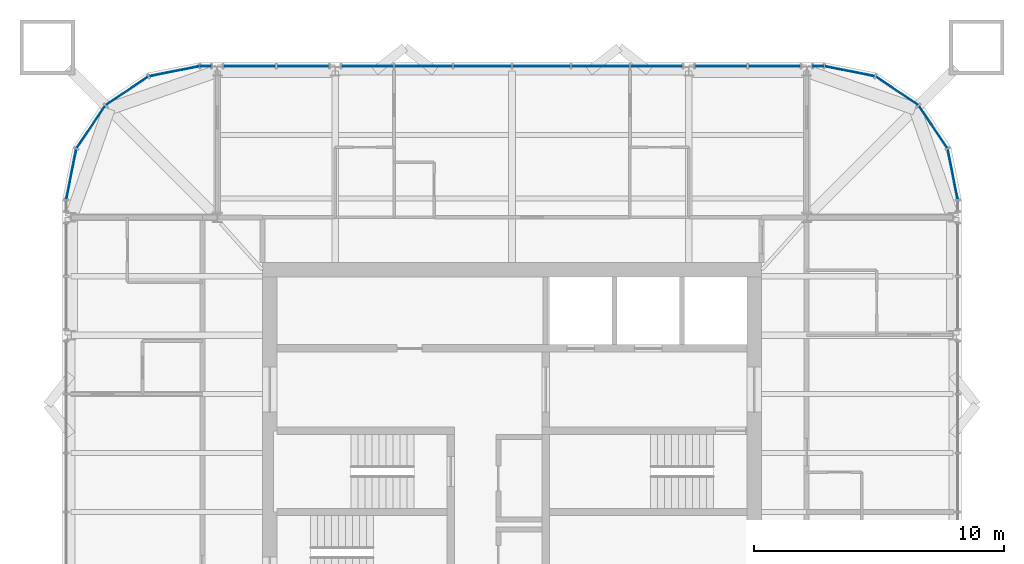
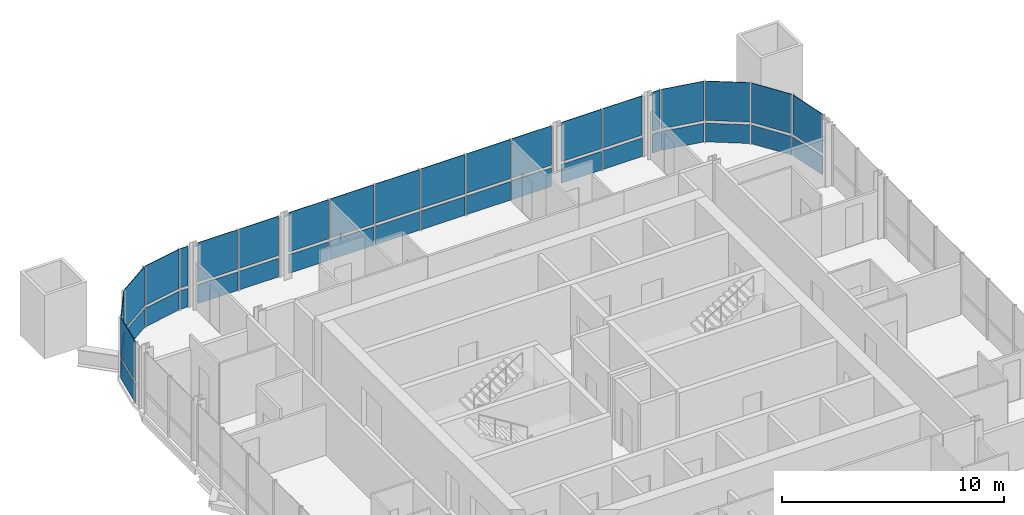
# One storey, part 12 of 17: 40 plates, 7 elements without a shape of their own.
"""IFC4 building model written with IfcOpenShell, lengths in metres."""

from ifc_helpers import new_model, si_unit, direction, frame, origin, origin_2d, place, context, subcontext, project, spatial, rectangle, extrude, material, layer, layer_set, type_object, element, aggregate, save


model = new_model("IFC4")

# Units and contexts
model_context = context("Model", 3, precision=1e-05, world=origin(), true_north=direction((0.0, 1.0)))
body_context = subcontext(model_context, "Body", "Model", "MODEL_VIEW")
ifc_project = project(units=[si_unit("LENGTHUNIT", "METRE"), si_unit("AREAUNIT", "SQUARE_METRE"), si_unit("VOLUMEUNIT", "CUBIC_METRE"), si_unit("PLANEANGLEUNIT", "RADIAN"), si_unit("MASSUNIT", "GRAM", prefix="KILO")], contexts=[model_context])

# Site, building, storey
site_placement = place(None, origin())
site = spatial("IfcSite", under=ifc_project, at=site_placement, CompositionType="ELEMENT")
building_placement = place(site_placement, origin())
building = spatial("IfcBuilding", under=site, at=building_placement, Name="Turquesa Mirador Hotel Tower", CompositionType="ELEMENT")
storey_placement = place(building_placement, frame((0.0, 0.0, 244.199951171875)))
storey = spatial("IfcBuildingStorey", under=building, at=storey_placement, Name="L66", CompositionType="ELEMENT", Elevation=244.199951171875)

# Curtain wall, plates
ifc_material_1 = material(Name="Aluminium extrusion", Category="aluminium")
curtain_wall_type = type_object("IfcCurtainWallType", Name="CW-4 SUITE FRITTED CURTAIN WALL", PredefinedType="USERDEFINED", material=ifc_material_1)
curtain_wall_1_placement = place(storey_placement, origin())
curtain_wall_1 = element("IfcCurtainWall", 1, at=curtain_wall_1_placement, inside=storey, type_object=curtain_wall_type, Name="CW-4 SUITE FRITTED CURTAIN WALL L66", ObjectType="CURTAIN WALL", PredefinedType="USERDEFINED")
ifc_material_2 = material(Name="Ceramic-printed spandrel glass on an insulated back pan", Category="glass")
ifc_layer_1 = layer(ifc_material_2, 0.050048828125)
ifc_layer_set_1 = layer_set([ifc_layer_1], Name="CW PANEL SPANDREL CERAMIC")
plate_type_1 = type_object("IfcPlateType", Name="CW PANEL SPANDREL CERAMIC", PredefinedType="CURTAIN_PANEL", material=ifc_layer_set_1)
plate_1_placement = place(storey_placement, frame((72.646484375, 58.523681640625, 0.0), z_axis=(0.0, 0.0, 1.0), x_axis=(-0.195090585221, 0.980785228048, 0.0)))
plate_1 = element("IfcPlate", 2, at=plate_1_placement, type_object=plate_type_1, Name="Panel", PredefinedType="CURTAIN_PANEL", context=body_context, shape_type="SweptSolid", body=[
    extrude(rectangle(XDim=2.0224609375, YDim=0.050048828125, at=origin_2d()), origin(), (0.0, 0.0, 1.0), 1.02490234375),
])
plate_2_placement = place(storey_placement, frame((71.86279296875, 60.415283203125, 0.0), z_axis=(0.0, 0.0, 1.0), x_axis=(-0.555570141754, 0.831469673284, 0.0)))
plate_2 = element("IfcPlate", 3, at=plate_2_placement, type_object=plate_type_1, Name="Panel", PredefinedType="CURTAIN_PANEL", context=body_context, shape_type="SweptSolid", body=[
    extrude(rectangle(XDim=2.0224609375, YDim=0.050048828125, at=origin_2d()), origin(), (0.0, 0.0, 1.0), 1.02490234375),
])
plate_3_placement = place(storey_placement, frame((70.415283203125, 61.86279296875, 0.0), z_axis=(0.0, 0.0, 1.0), x_axis=(-0.831469673284, 0.555570141754, 0.0)))
plate_3 = element("IfcPlate", 4, at=plate_3_placement, type_object=plate_type_1, Name="Panel", PredefinedType="CURTAIN_PANEL", context=body_context, shape_type="SweptSolid", body=[
    extrude(rectangle(XDim=2.0224609375, YDim=0.050048828125, at=origin_2d()), origin(), (0.0, 0.0, 1.0), 1.02490234375),
])
plate_4_placement = place(storey_placement, frame((68.523681640625, 62.646484375, 0.0), z_axis=(0.0, 0.0, 1.0), x_axis=(-0.980785228048, 0.195090585221, 0.0)))
plate_4 = element("IfcPlate", 5, at=plate_4_placement, type_object=plate_type_1, Name="Panel", PredefinedType="CURTAIN_PANEL", context=body_context, shape_type="SweptSolid", body=[
    extrude(rectangle(XDim=2.0224609375, YDim=0.050048828125, at=origin_2d()), origin(), (0.0, 0.0, 1.0), 1.02490234375),
])

# Curtain wall, plate
curtain_wall_2_placement = place(storey_placement, origin())
curtain_wall_2 = element("IfcCurtainWall", 6, at=curtain_wall_2_placement, inside=storey, type_object=curtain_wall_type, Name="CW-4 SUITE FRITTED CURTAIN WALL L66", ObjectType="CURTAIN WALL", PredefinedType="USERDEFINED")
plate_5_placement = place(storey_placement, frame((67.266845703125, 62.85009765625, 0.0), z_axis=(0.0, 0.0, 1.0), x_axis=(-1.0, 0.0, 0.0)))
plate_5 = element("IfcPlate", 7, at=plate_5_placement, type_object=plate_type_1, Name="Panel", PredefinedType="CURTAIN_PANEL", context=body_context, shape_type="SweptSolid", body=[
    extrude(rectangle(XDim=0.401123046875, YDim=0.050048828125, at=origin_2d()), origin(), (0.0, 0.0, 1.0), 1.02490234375),
])

# Curtain wall, plates
curtain_wall_3_placement = place(storey_placement, origin())
curtain_wall_3 = element("IfcCurtainWall", 8, at=curtain_wall_3_placement, inside=storey, type_object=curtain_wall_type, Name="CW-4 SUITE FRITTED CURTAIN WALL L66", ObjectType="CURTAIN WALL", PredefinedType="USERDEFINED")
plate_6_placement = place(storey_placement, frame((65.503173828125, 62.85009765625, 0.0), z_axis=(0.0, 0.0, 1.0), x_axis=(-1.0, 0.0, 0.0)))
plate_6 = element("IfcPlate", 9, at=plate_6_placement, type_object=plate_type_1, Name="Panel", PredefinedType="CURTAIN_PANEL", context=body_context, shape_type="SweptSolid", body=[
    extrude(rectangle(XDim=2.06103515625, YDim=0.050048828125, at=origin_2d()), origin(), (0.0, 0.0, 1.0), 1.02490234375),
])
plate_7_placement = place(storey_placement, frame((63.376953125, 62.85009765625, 0.0), z_axis=(0.0, 0.0, 1.0), x_axis=(-1.0, 0.0, 0.0)))
plate_7 = element("IfcPlate", 10, at=plate_7_placement, type_object=plate_type_1, Name="Panel", PredefinedType="CURTAIN_PANEL", context=body_context, shape_type="SweptSolid", body=[
    extrude(rectangle(XDim=2.06103515625, YDim=0.050048828125, at=origin_2d()), origin(), (0.0, 0.0, 1.0), 1.02490234375),
])

curtain_wall_4_placement = place(storey_placement, origin())
curtain_wall_4 = element("IfcCurtainWall", 11, at=curtain_wall_4_placement, inside=storey, type_object=curtain_wall_type, Name="CW-4 SUITE FRITTED CURTAIN WALL L66", ObjectType="CURTAIN WALL", PredefinedType="USERDEFINED")
plate_8_placement = place(storey_placement, frame((60.782958984375, 62.85009765625, 0.0), z_axis=(0.0, 0.0, 1.0), x_axis=(-1.0, 0.0, 0.0)))
plate_8 = element("IfcPlate", 12, at=plate_8_placement, type_object=plate_type_1, Name="Panel", PredefinedType="CURTAIN_PANEL", context=body_context, shape_type="SweptSolid", body=[
    extrude(rectangle(XDim=2.06103515625, YDim=0.050048828125, at=origin_2d()), origin(), (0.0, 0.0, 1.0), 1.02490234375),
])
plate_9_placement = place(storey_placement, frame((58.5400390625, 62.85009765625, 0.0), z_axis=(0.0, 0.0, 1.0), x_axis=(-1.0, 0.0, 0.0)))
plate_9 = element("IfcPlate", 13, at=plate_9_placement, type_object=plate_type_1, Name="Panel", PredefinedType="CURTAIN_PANEL", context=body_context, shape_type="SweptSolid", body=[
    extrude(rectangle(XDim=2.294921875, YDim=0.050048828125, at=origin_2d()), origin(), (0.0, 0.0, 1.0), 1.02490234375),
])
plate_10_placement = place(storey_placement, frame((56.179931640625, 62.85009765625, 0.0), z_axis=(0.0, 0.0, 1.0), x_axis=(-1.0, 0.0, 0.0)))
plate_10 = element("IfcPlate", 14, at=plate_10_placement, type_object=plate_type_1, Name="Panel", PredefinedType="CURTAIN_PANEL", context=body_context, shape_type="SweptSolid", body=[
    extrude(rectangle(XDim=2.294921875, YDim=0.050048828125, at=origin_2d()), origin(), (0.0, 0.0, 1.0), 1.02490234375),
])
plate_11_placement = place(storey_placement, frame((53.820068359375, 62.85009765625, 0.0), z_axis=(0.0, 0.0, 1.0), x_axis=(-1.0, 0.0, 0.0)))
plate_11 = element("IfcPlate", 15, at=plate_11_placement, type_object=plate_type_1, Name="Panel", PredefinedType="CURTAIN_PANEL", context=body_context, shape_type="SweptSolid", body=[
    extrude(rectangle(XDim=2.294921875, YDim=0.050048828125, at=origin_2d()), origin(), (0.0, 0.0, 1.0), 1.02490234375),
])
plate_12_placement = place(storey_placement, frame((51.4599609375, 62.85009765625, 0.0), z_axis=(0.0, 0.0, 1.0), x_axis=(-1.0, 0.0, 0.0)))
plate_12 = element("IfcPlate", 16, at=plate_12_placement, type_object=plate_type_1, Name="Panel", PredefinedType="CURTAIN_PANEL", context=body_context, shape_type="SweptSolid", body=[
    extrude(rectangle(XDim=2.294921875, YDim=0.050048828125, at=origin_2d()), origin(), (0.0, 0.0, 1.0), 1.02490234375),
])
plate_13_placement = place(storey_placement, frame((49.217041015625, 62.85009765625, 0.0), z_axis=(0.0, 0.0, 1.0), x_axis=(-1.0, 0.0, 0.0)))
plate_13 = element("IfcPlate", 17, at=plate_13_placement, type_object=plate_type_1, Name="Panel", PredefinedType="CURTAIN_PANEL", context=body_context, shape_type="SweptSolid", body=[
    extrude(rectangle(XDim=2.06103515625, YDim=0.050048828125, at=origin_2d()), origin(), (0.0, 0.0, 1.0), 1.02490234375),
])

curtain_wall_5_placement = place(storey_placement, origin())
curtain_wall_5 = element("IfcCurtainWall", 18, at=curtain_wall_5_placement, inside=storey, type_object=curtain_wall_type, Name="CW-4 SUITE FRITTED CURTAIN WALL L66", ObjectType="CURTAIN WALL", PredefinedType="USERDEFINED")
plate_14_placement = place(storey_placement, frame((46.623046875, 62.85009765625, 0.0), z_axis=(0.0, 0.0, 1.0), x_axis=(-1.0, 0.0, 0.0)))
plate_14 = element("IfcPlate", 19, at=plate_14_placement, type_object=plate_type_1, Name="Panel", PredefinedType="CURTAIN_PANEL", context=body_context, shape_type="SweptSolid", body=[
    extrude(rectangle(XDim=2.06103515625, YDim=0.050048828125, at=origin_2d()), origin(), (0.0, 0.0, 1.0), 1.02490234375),
])
plate_15_placement = place(storey_placement, frame((44.496826171875, 62.85009765625, 0.0), z_axis=(0.0, 0.0, 1.0), x_axis=(-1.0, 0.0, 0.0)))
plate_15 = element("IfcPlate", 20, at=plate_15_placement, type_object=plate_type_1, Name="Panel", PredefinedType="CURTAIN_PANEL", context=body_context, shape_type="SweptSolid", body=[
    extrude(rectangle(XDim=2.06103515625, YDim=0.050048828125, at=origin_2d()), origin(), (0.0, 0.0, 1.0), 1.02490234375),
])

# Curtain wall, plate
curtain_wall_6_placement = place(storey_placement, origin())
curtain_wall_6 = element("IfcCurtainWall", 21, at=curtain_wall_6_placement, inside=storey, type_object=curtain_wall_type, Name="CW-4 SUITE FRITTED CURTAIN WALL L66", ObjectType="CURTAIN WALL", PredefinedType="USERDEFINED")
plate_16_placement = place(storey_placement, frame((42.733154296875, 62.85009765625, 0.0), z_axis=(0.0, 0.0, 1.0), x_axis=(-1.0, 0.0, 0.0)))
plate_16 = element("IfcPlate", 22, at=plate_16_placement, type_object=plate_type_1, Name="Panel", PredefinedType="CURTAIN_PANEL", context=body_context, shape_type="SweptSolid", body=[
    extrude(rectangle(XDim=0.401123046875, YDim=0.050048828125, at=origin_2d()), origin(), (0.0, 0.0, 1.0), 1.02490234375),
])

# Curtain wall, plates
curtain_wall_7_placement = place(storey_placement, origin())
curtain_wall_7 = element("IfcCurtainWall", 23, at=curtain_wall_7_placement, inside=storey, type_object=curtain_wall_type, Name="CW-4 SUITE FRITTED CURTAIN WALL L66", ObjectType="CURTAIN WALL", PredefinedType="USERDEFINED")
plate_17_placement = place(storey_placement, frame((41.476318359375, 62.646484375, 0.0), z_axis=(0.0, 0.0, 1.0), x_axis=(-0.980785228048, -0.195090585221, 0.0)))
plate_17 = element("IfcPlate", 24, at=plate_17_placement, type_object=plate_type_1, Name="Panel", PredefinedType="CURTAIN_PANEL", context=body_context, shape_type="SweptSolid", body=[
    extrude(rectangle(XDim=2.0224609375, YDim=0.050048828125, at=origin_2d()), origin(), (0.0, 0.0, 1.0), 1.02490234375),
])
plate_18_placement = place(storey_placement, frame((39.584716796875, 61.86279296875, 0.0), z_axis=(0.0, 0.0, 1.0), x_axis=(-0.831469673284, -0.555570141754, 0.0)))
plate_18 = element("IfcPlate", 25, at=plate_18_placement, type_object=plate_type_1, Name="Panel", PredefinedType="CURTAIN_PANEL", context=body_context, shape_type="SweptSolid", body=[
    extrude(rectangle(XDim=2.0224609375, YDim=0.050048828125, at=origin_2d()), origin(), (0.0, 0.0, 1.0), 1.02490234375),
])
plate_19_placement = place(storey_placement, frame((38.13720703125, 60.415283203125, 0.0), z_axis=(0.0, 0.0, 1.0), x_axis=(-0.555570141754, -0.831469673284, 0.0)))
plate_19 = element("IfcPlate", 26, at=plate_19_placement, type_object=plate_type_1, Name="Panel", PredefinedType="CURTAIN_PANEL", context=body_context, shape_type="SweptSolid", body=[
    extrude(rectangle(XDim=2.0224609375, YDim=0.050048828125, at=origin_2d()), origin(), (0.0, 0.0, 1.0), 1.02490234375),
])
plate_20_placement = place(storey_placement, frame((37.353515625, 58.523681640625, 0.0), z_axis=(0.0, 0.0, 1.0), x_axis=(-0.195090585221, -0.980785228048, 0.0)))
plate_20 = element("IfcPlate", 27, at=plate_20_placement, type_object=plate_type_1, Name="Panel", PredefinedType="CURTAIN_PANEL", context=body_context, shape_type="SweptSolid", body=[
    extrude(rectangle(XDim=2.0224609375, YDim=0.050048828125, at=origin_2d()), origin(), (0.0, 0.0, 1.0), 1.02490234375),
])

# Plate
ifc_material_3 = material(Name="Ceramic-fritted laminated glass", Category="glass")
ifc_layer_2 = layer(ifc_material_3, 0.031982421875)
ifc_layer_set_2 = layer_set([ifc_layer_2], Name="CW PANEL VISION FRITTED")
plate_type_2 = type_object("IfcPlateType", Name="CW PANEL VISION FRITTED", PredefinedType="CURTAIN_PANEL", material=ifc_layer_set_2)
plate_21_placement = place(storey_placement, frame((72.646484375, 58.523681640625, 1.1748046875), z_axis=(0.0, 0.0, 1.0), x_axis=(-0.195090585221, 0.980785228048, 0.0)))
plate_21 = element("IfcPlate", 28, at=plate_21_placement, type_object=plate_type_2, Name="Panel", PredefinedType="CURTAIN_PANEL", context=body_context, shape_type="SweptSolid", body=[
    extrude(rectangle(XDim=2.0224609375, YDim=0.031982421875, at=origin_2d()), origin(), (0.0, 0.0, 1.0), 2.155029296875),
])

plate_22_placement = place(storey_placement, frame((71.86279296875, 60.415283203125, 1.1748046875), z_axis=(0.0, 0.0, 1.0), x_axis=(-0.555570141754, 0.831469673284, 0.0)))
plate_22 = element("IfcPlate", 29, at=plate_22_placement, type_object=plate_type_2, Name="Panel", PredefinedType="CURTAIN_PANEL", context=body_context, shape_type="SweptSolid", body=[
    extrude(rectangle(XDim=2.0224609375, YDim=0.031982421875, at=origin_2d()), origin(), (0.0, 0.0, 1.0), 2.155029296875),
])

plate_23_placement = place(storey_placement, frame((70.415283203125, 61.86279296875, 1.1748046875), z_axis=(0.0, 0.0, 1.0), x_axis=(-0.831469673284, 0.555570141754, 0.0)))
plate_23 = element("IfcPlate", 30, at=plate_23_placement, type_object=plate_type_2, Name="Panel", PredefinedType="CURTAIN_PANEL", context=body_context, shape_type="SweptSolid", body=[
    extrude(rectangle(XDim=2.0224609375, YDim=0.031982421875, at=origin_2d()), origin(), (0.0, 0.0, 1.0), 2.155029296875),
])

plate_24_placement = place(storey_placement, frame((68.523681640625, 62.646484375, 1.1748046875), z_axis=(0.0, 0.0, 1.0), x_axis=(-0.980785228048, 0.195090585221, 0.0)))
plate_24 = element("IfcPlate", 31, at=plate_24_placement, type_object=plate_type_2, Name="Panel", PredefinedType="CURTAIN_PANEL", context=body_context, shape_type="SweptSolid", body=[
    extrude(rectangle(XDim=2.0224609375, YDim=0.031982421875, at=origin_2d()), origin(), (0.0, 0.0, 1.0), 2.155029296875),
])

aggregate(curtain_wall_1, [plate_1, plate_21, plate_2, plate_22, plate_3, plate_23, plate_4, plate_24])

plate_25_placement = place(storey_placement, frame((67.266845703125, 62.85009765625, 1.1748046875), z_axis=(0.0, 0.0, 1.0), x_axis=(-1.0, 0.0, 0.0)))
plate_25 = element("IfcPlate", 32, at=plate_25_placement, type_object=plate_type_2, Name="Panel", PredefinedType="CURTAIN_PANEL", context=body_context, shape_type="SweptSolid", body=[
    extrude(rectangle(XDim=0.401123046875, YDim=0.031982421875, at=origin_2d()), origin(), (0.0, 0.0, 1.0), 2.155029296875),
])

aggregate(curtain_wall_2, [plate_5, plate_25])

plate_26_placement = place(storey_placement, frame((65.503173828125, 62.85009765625, 1.1748046875), z_axis=(0.0, 0.0, 1.0), x_axis=(-1.0, 0.0, 0.0)))
plate_26 = element("IfcPlate", 33, at=plate_26_placement, type_object=plate_type_2, Name="Panel", PredefinedType="CURTAIN_PANEL", context=body_context, shape_type="SweptSolid", body=[
    extrude(rectangle(XDim=2.06103515625, YDim=0.031982421875, at=origin_2d()), origin(), (0.0, 0.0, 1.0), 2.155029296875),
])

plate_27_placement = place(storey_placement, frame((63.376953125, 62.85009765625, 1.1748046875), z_axis=(0.0, 0.0, 1.0), x_axis=(-1.0, 0.0, 0.0)))
plate_27 = element("IfcPlate", 34, at=plate_27_placement, type_object=plate_type_2, Name="Panel", PredefinedType="CURTAIN_PANEL", context=body_context, shape_type="SweptSolid", body=[
    extrude(rectangle(XDim=2.06103515625, YDim=0.031982421875, at=origin_2d()), origin(), (0.0, 0.0, 1.0), 2.155029296875),
])

aggregate(curtain_wall_3, [plate_6, plate_26, plate_7, plate_27])

plate_28_placement = place(storey_placement, frame((60.782958984375, 62.85009765625, 1.1748046875), z_axis=(0.0, 0.0, 1.0), x_axis=(-1.0, 0.0, 0.0)))
plate_28 = element("IfcPlate", 35, at=plate_28_placement, type_object=plate_type_2, Name="Panel", PredefinedType="CURTAIN_PANEL", context=body_context, shape_type="SweptSolid", body=[
    extrude(rectangle(XDim=2.06103515625, YDim=0.031982421875, at=origin_2d()), origin(), (0.0, 0.0, 1.0), 2.155029296875),
])

plate_29_placement = place(storey_placement, frame((58.5400390625, 62.85009765625, 1.1748046875), z_axis=(0.0, 0.0, 1.0), x_axis=(-1.0, 0.0, 0.0)))
plate_29 = element("IfcPlate", 36, at=plate_29_placement, type_object=plate_type_2, Name="Panel", PredefinedType="CURTAIN_PANEL", context=body_context, shape_type="SweptSolid", body=[
    extrude(rectangle(XDim=2.294921875, YDim=0.031982421875, at=origin_2d()), origin(), (0.0, 0.0, 1.0), 2.155029296875),
])

plate_30_placement = place(storey_placement, frame((56.179931640625, 62.85009765625, 1.1748046875), z_axis=(0.0, 0.0, 1.0), x_axis=(-1.0, 0.0, 0.0)))
plate_30 = element("IfcPlate", 37, at=plate_30_placement, type_object=plate_type_2, Name="Panel", PredefinedType="CURTAIN_PANEL", context=body_context, shape_type="SweptSolid", body=[
    extrude(rectangle(XDim=2.294921875, YDim=0.031982421875, at=origin_2d()), origin(), (0.0, 0.0, 1.0), 2.155029296875),
])

plate_31_placement = place(storey_placement, frame((53.820068359375, 62.85009765625, 1.1748046875), z_axis=(0.0, 0.0, 1.0), x_axis=(-1.0, 0.0, 0.0)))
plate_31 = element("IfcPlate", 38, at=plate_31_placement, type_object=plate_type_2, Name="Panel", PredefinedType="CURTAIN_PANEL", context=body_context, shape_type="SweptSolid", body=[
    extrude(rectangle(XDim=2.294921875, YDim=0.031982421875, at=origin_2d()), origin(), (0.0, 0.0, 1.0), 2.155029296875),
])

plate_32_placement = place(storey_placement, frame((51.4599609375, 62.85009765625, 1.1748046875), z_axis=(0.0, 0.0, 1.0), x_axis=(-1.0, 0.0, 0.0)))
plate_32 = element("IfcPlate", 39, at=plate_32_placement, type_object=plate_type_2, Name="Panel", PredefinedType="CURTAIN_PANEL", context=body_context, shape_type="SweptSolid", body=[
    extrude(rectangle(XDim=2.294921875, YDim=0.031982421875, at=origin_2d()), origin(), (0.0, 0.0, 1.0), 2.155029296875),
])

plate_33_placement = place(storey_placement, frame((49.217041015625, 62.85009765625, 1.1748046875), z_axis=(0.0, 0.0, 1.0), x_axis=(-1.0, 0.0, 0.0)))
plate_33 = element("IfcPlate", 40, at=plate_33_placement, type_object=plate_type_2, Name="Panel", PredefinedType="CURTAIN_PANEL", context=body_context, shape_type="SweptSolid", body=[
    extrude(rectangle(XDim=2.06103515625, YDim=0.031982421875, at=origin_2d()), origin(), (0.0, 0.0, 1.0), 2.155029296875),
])

aggregate(curtain_wall_4, [plate_8, plate_28, plate_9, plate_29, plate_10, plate_30, plate_11, plate_31, plate_12, plate_32, plate_13, plate_33])

plate_34_placement = place(storey_placement, frame((46.623046875, 62.85009765625, 1.1748046875), z_axis=(0.0, 0.0, 1.0), x_axis=(-1.0, 0.0, 0.0)))
plate_34 = element("IfcPlate", 41, at=plate_34_placement, type_object=plate_type_2, Name="Panel", PredefinedType="CURTAIN_PANEL", context=body_context, shape_type="SweptSolid", body=[
    extrude(rectangle(XDim=2.06103515625, YDim=0.031982421875, at=origin_2d()), origin(), (0.0, 0.0, 1.0), 2.155029296875),
])

plate_35_placement = place(storey_placement, frame((44.496826171875, 62.85009765625, 1.1748046875), z_axis=(0.0, 0.0, 1.0), x_axis=(-1.0, 0.0, 0.0)))
plate_35 = element("IfcPlate", 42, at=plate_35_placement, type_object=plate_type_2, Name="Panel", PredefinedType="CURTAIN_PANEL", context=body_context, shape_type="SweptSolid", body=[
    extrude(rectangle(XDim=2.06103515625, YDim=0.031982421875, at=origin_2d()), origin(), (0.0, 0.0, 1.0), 2.155029296875),
])

aggregate(curtain_wall_5, [plate_14, plate_34, plate_15, plate_35])

plate_36_placement = place(storey_placement, frame((42.733154296875, 62.85009765625, 1.1748046875), z_axis=(0.0, 0.0, 1.0), x_axis=(-1.0, 0.0, 0.0)))
plate_36 = element("IfcPlate", 43, at=plate_36_placement, type_object=plate_type_2, Name="Panel", PredefinedType="CURTAIN_PANEL", context=body_context, shape_type="SweptSolid", body=[
    extrude(rectangle(XDim=0.401123046875, YDim=0.031982421875, at=origin_2d()), origin(), (0.0, 0.0, 1.0), 2.155029296875),
])

aggregate(curtain_wall_6, [plate_16, plate_36])

plate_37_placement = place(storey_placement, frame((41.476318359375, 62.646484375, 1.1748046875), z_axis=(0.0, 0.0, 1.0), x_axis=(-0.980785228048, -0.195090585221, 0.0)))
plate_37 = element("IfcPlate", 44, at=plate_37_placement, type_object=plate_type_2, Name="Panel", PredefinedType="CURTAIN_PANEL", context=body_context, shape_type="SweptSolid", body=[
    extrude(rectangle(XDim=2.0224609375, YDim=0.031982421875, at=origin_2d()), origin(), (0.0, 0.0, 1.0), 2.155029296875),
])

plate_38_placement = place(storey_placement, frame((39.584716796875, 61.86279296875, 1.1748046875), z_axis=(0.0, 0.0, 1.0), x_axis=(-0.831469673284, -0.555570141754, 0.0)))
plate_38 = element("IfcPlate", 45, at=plate_38_placement, type_object=plate_type_2, Name="Panel", PredefinedType="CURTAIN_PANEL", context=body_context, shape_type="SweptSolid", body=[
    extrude(rectangle(XDim=2.0224609375, YDim=0.031982421875, at=origin_2d()), origin(), (0.0, 0.0, 1.0), 2.155029296875),
])

plate_39_placement = place(storey_placement, frame((38.13720703125, 60.415283203125, 1.1748046875), z_axis=(0.0, 0.0, 1.0), x_axis=(-0.555570141754, -0.831469673284, 0.0)))
plate_39 = element("IfcPlate", 46, at=plate_39_placement, type_object=plate_type_2, Name="Panel", PredefinedType="CURTAIN_PANEL", context=body_context, shape_type="SweptSolid", body=[
    extrude(rectangle(XDim=2.0224609375, YDim=0.031982421875, at=origin_2d()), origin(), (0.0, 0.0, 1.0), 2.155029296875),
])

plate_40_placement = place(storey_placement, frame((37.353515625, 58.523681640625, 1.1748046875), z_axis=(0.0, 0.0, 1.0), x_axis=(-0.195090585221, -0.980785228048, 0.0)))
plate_40 = element("IfcPlate", 47, at=plate_40_placement, type_object=plate_type_2, Name="Panel", PredefinedType="CURTAIN_PANEL", context=body_context, shape_type="SweptSolid", body=[
    extrude(rectangle(XDim=2.0224609375, YDim=0.031982421875, at=origin_2d()), origin(), (0.0, 0.0, 1.0), 2.155029296875),
])

aggregate(curtain_wall_7, [plate_17, plate_37, plate_18, plate_38, plate_19, plate_39, plate_20, plate_40])

save(model, "model.ifc")
